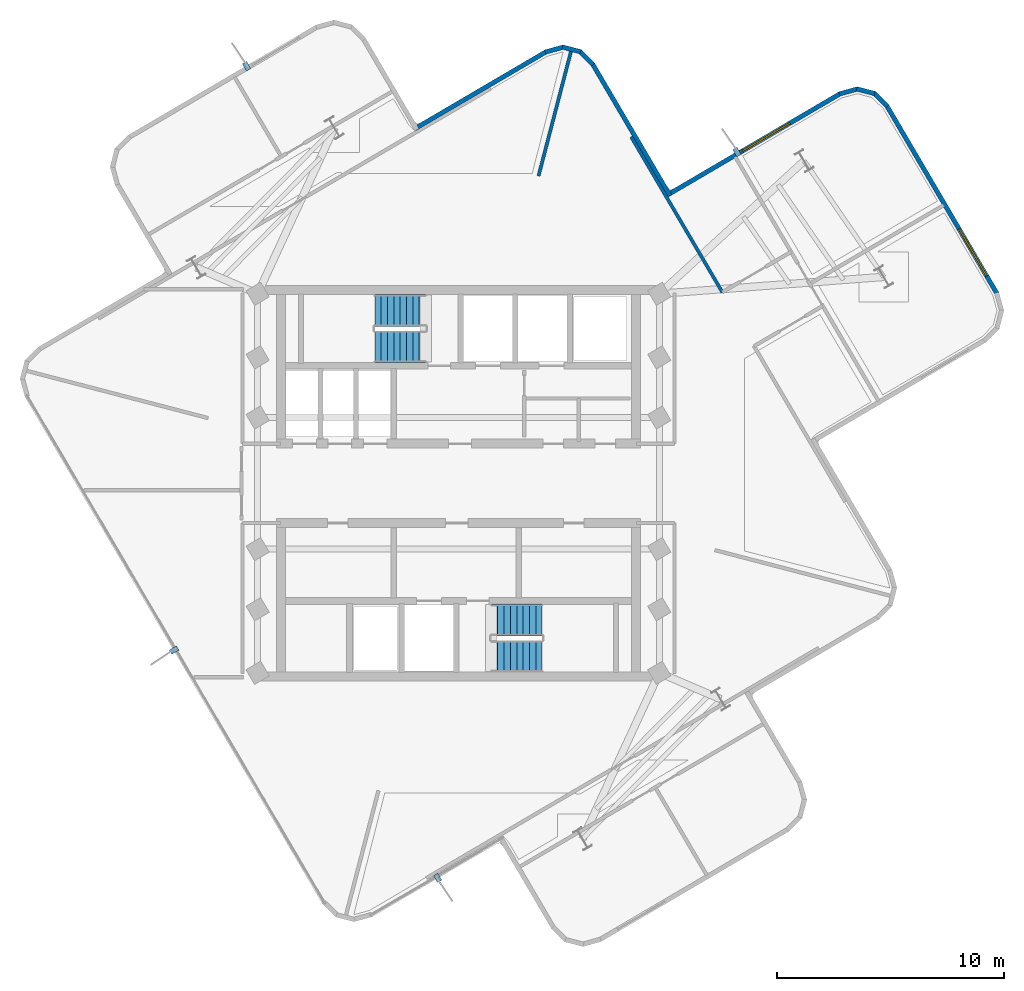
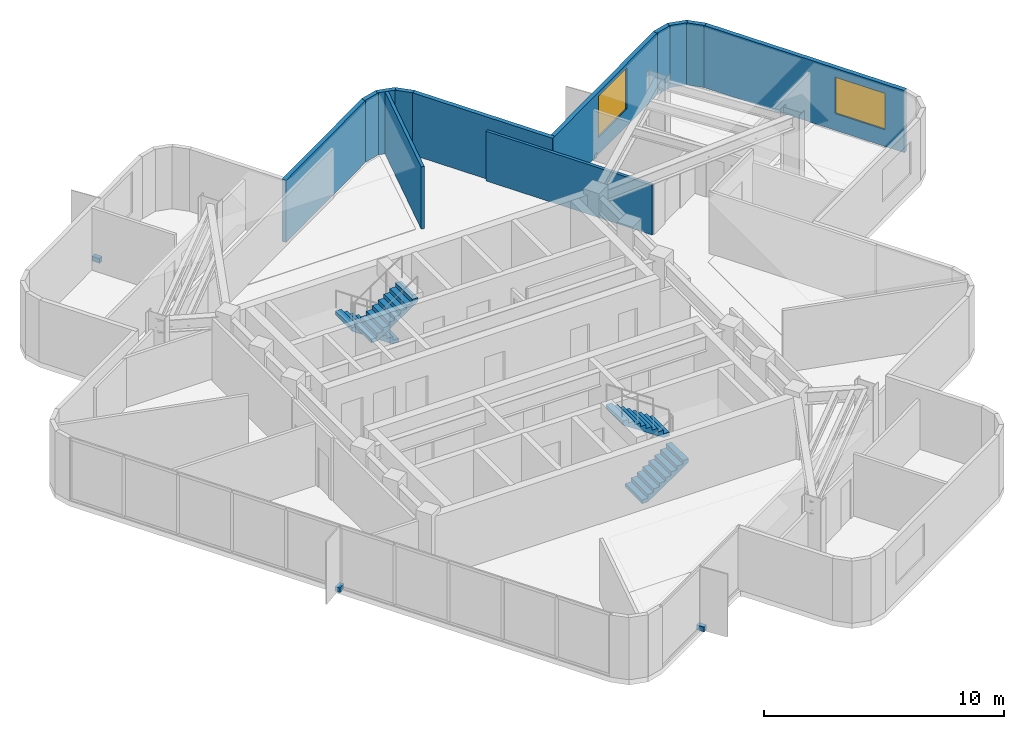
# One storey, part 7 of 9: 12 walls, 4 discrete accessories, 4 stair flights, 2 windows, 2 openings, 2 elements without a shape of their own.
"""IFC4 building model written with IfcOpenShell, lengths in metres."""

from ifc_helpers import new_model, si_unit, direction, frame, frame_2d, origin, origin_2d, place, context, subcontext, project, spatial, polyline, rectangle, outline, extrude, material, layer, layer_set, type_object, element, fill, aggregate, save


model = new_model("IFC4")

# Units and contexts
model_context = context("Model", 3, precision=1e-05, world=origin(), true_north=direction((0.0, 1.0)))
body_context = subcontext(model_context, "Body", "Model", "MODEL_VIEW")
ifc_project = project(units=[si_unit("LENGTHUNIT", "METRE"), si_unit("AREAUNIT", "SQUARE_METRE"), si_unit("VOLUMEUNIT", "CUBIC_METRE"), si_unit("PLANEANGLEUNIT", "RADIAN"), si_unit("MASSUNIT", "GRAM", prefix="KILO")], contexts=[model_context])

# Site, building, storey
site_placement = place(None, origin())
site = spatial("IfcSite", under=ifc_project, at=site_placement, CompositionType="ELEMENT")
building_placement = place(site_placement, origin())
building = spatial("IfcBuilding", under=site, at=building_placement, Name="Solmarez Civic Tower", CompositionType="ELEMENT")
storey_placement = place(building_placement, frame((0.0, 0.0, 208.6201171875)))
storey = spatial("IfcBuildingStorey", under=building, at=storey_placement, Name="L55", CompositionType="ELEMENT", Elevation=208.6201171875)

# Walls
ifc_material_1 = material(Name="Precast concrete C40/50", Category="concrete")
ifc_layer_1 = layer(ifc_material_1, 0.199951171875)
ifc_layer_set_1 = layer_set([ifc_layer_1], Name="Precast concrete C40/50")
wall_type_1 = type_object("IfcWallType", Name="WALL-EXT-200", PredefinedType="SOLIDWALL", material=ifc_layer_set_1)
wall_1_placement = place(storey_placement, frame((-1.947998046875, 15.612060546875, 0.0), z_axis=(0.0, 0.0, 1.0), x_axis=(0.86259717351, 0.505891407569, 0.0)))
element("IfcWall", 1, at=wall_1_placement, inside=storey, type_object=wall_type_1, Name="L55 Exterior Precast Wall 24", PredefinedType="SOLIDWALL", context=body_context, shape_type="SweptSolid", body=[
    extrude(rectangle(XDim=6.742431640625, YDim=0.199951171875, at=frame_2d((3.37109375, 0.0))), origin(), (0.0, 0.0, 1.0), 3.159912109375),
])
wall_2_placement = place(storey_placement, frame((3.822021484375, 19.0029296875, 0.0), z_axis=(0.0, 0.0, 1.0), x_axis=(0.963905015631, 0.266246353668, 0.0)))
element("IfcWall", 2, at=wall_2_placement, inside=storey, type_object=wall_type_1, Name="L55 Exterior Precast Wall 25", PredefinedType="SOLIDWALL", context=body_context, shape_type="SweptSolid", body=[
    extrude(rectangle(XDim=0.838134765625, YDim=0.199951171875, at=frame_2d((0.4189453125, 0.0))), origin(), (0.0, 0.0, 1.0), 3.159912109375),
])
wall_3_placement = place(storey_placement, frame((4.58203125, 19.22509765625, 0.0), z_axis=(0.0, 0.0, 1.0), x_axis=(0.967943577658, -0.251167733737, 0.0)))
element("IfcWall", 3, at=wall_3_placement, inside=storey, type_object=wall_type_1, Name="L55 Exterior Precast Wall 26", PredefinedType="SOLIDWALL", context=body_context, shape_type="SweptSolid", body=[
    extrude(rectangle(XDim=0.82421875, YDim=0.199951171875, at=frame_2d((0.412109375, 0.0))), origin(), (0.0, 0.0, 1.0), 3.159912109375),
])
wall_4_placement = place(storey_placement, frame((5.337890625, 19.0419921875, 0.0), z_axis=(0.0, 0.0, 1.0), x_axis=(0.711310891957, -0.702877524881, 0.0)))
element("IfcWall", 4, at=wall_4_placement, inside=storey, type_object=wall_type_1, Name="L55 Exterior Precast Wall 27", PredefinedType="SOLIDWALL", context=body_context, shape_type="SweptSolid", body=[
    extrude(rectangle(XDim=0.839599609375, YDim=0.199951171875, at=frame_2d((0.419921875, 0.0))), origin(), (0.0, 0.0, 1.0), 3.159912109375),
])
wall_5_placement = place(storey_placement, frame((5.904052734375, 18.491943359375, 0.0), z_axis=(0.0, 0.0, 1.0), x_axis=(0.506017844805, -0.862523008817, 0.0)))
element("IfcWall", 5, at=wall_5_placement, inside=storey, type_object=wall_type_1, Name="L55 Exterior Precast Wall 28", PredefinedType="SOLIDWALL", context=body_context, shape_type="SweptSolid", body=[
    extrude(rectangle(XDim=6.74072265625, YDim=0.199951171875, at=frame_2d((3.370361328125, 0.0))), origin(), (0.0, 0.0, 1.0), 3.159912109375),
])

# Wall, opening, window
wall_6_placement = place(storey_placement, frame((9.2060546875, 12.70703125, 0.0), z_axis=(0.0, 0.0, 1.0), x_axis=(0.862602827395, 0.505881766988, 0.0)))
wall_6 = element("IfcWall", 6, at=wall_6_placement, inside=storey, type_object=wall_type_1, Name="L55 Exterior Precast Wall 31", PredefinedType="SOLIDWALL", context=body_context, shape_type="SweptSolid", body=[
    extrude(rectangle(XDim=8.841796875, YDim=0.199951171875, at=frame_2d((4.4208984375, 0.0))), origin(), (0.0, 0.0, 1.0), 3.159912109375),
])
opening_1_placement = place(wall_6_placement, frame((3.85009765625, 0.0, 0.85009765625)))
opening_1 = element("IfcOpeningElement", 7, at=opening_1_placement, cuts=wall_6, Name="Opening W-02", PredefinedType="OPENING", context=body_context, shape_type="SweptSolid", body=[
    extrude(rectangle(XDim=2.39990234375, YDim=2.10009765625, at=frame_2d((1.199951171875, 1.050048828125))), frame((0.0, 0.10986328125, 0.0), z_axis=(0.0, -1.0, 0.0), x_axis=(1.0, 0.0, 0.0)), (0.0, 0.0, 1.0), 0.219970703125),
])
ifc_material_2 = material(Name="Solar Control Bronze-Tinted Insulating Glass", Category="glass")
window_type_1 = type_object("IfcWindowType", Name="WIN-2400X2100", PartitioningType="SINGLE_PANEL", PredefinedType="WINDOW", material=ifc_material_2)
window_1_placement = place(opening_1_placement, origin())
window_1 = element("IfcWindow", 8, at=window_1_placement, inside=storey, type_object=window_type_1, Name="L55 Exterior Facade Window 31", OverallHeight=2.10009765625, OverallWidth=2.39990234375, PartitioningType="SINGLE_PANEL", PredefinedType="WINDOW", context=body_context, shape_type="SweptSolid", body=[
    extrude(rectangle(XDim=2.39990234375, YDim=2.10009765625, at=frame_2d((1.199951171875, 1.050048828125))), frame((0.0, 0.030029296875, 0.0), z_axis=(0.0, -1.0, 0.0), x_axis=(1.0, 0.0, 0.0)), (0.0, 0.0, 1.0), 0.06005859375),
])
fill(opening_1, window_1)

# Walls
wall_7_placement = place(storey_placement, frame((16.787109375, 17.159912109375, 0.0), z_axis=(0.0, 0.0, 1.0), x_axis=(0.963905015631, 0.266246353668, 0.0)))
element("IfcWall", 9, at=wall_7_placement, inside=storey, type_object=wall_type_1, Name="L55 Exterior Precast Wall 32", PredefinedType="SOLIDWALL", context=body_context, shape_type="SweptSolid", body=[
    extrude(rectangle(XDim=0.838134765625, YDim=0.199951171875, at=frame_2d((0.4189453125, 0.0))), origin(), (0.0, 0.0, 1.0), 3.159912109375),
])
wall_8_placement = place(storey_placement, frame((17.547119140625, 17.382080078125, 0.0), z_axis=(0.0, 0.0, 1.0), x_axis=(0.967943577658, -0.251167733737, 0.0)))
element("IfcWall", 10, at=wall_8_placement, inside=storey, type_object=wall_type_1, Name="L55 Exterior Precast Wall 33", PredefinedType="SOLIDWALL", context=body_context, shape_type="SweptSolid", body=[
    extrude(rectangle(XDim=0.82421875, YDim=0.199951171875, at=frame_2d((0.412109375, 0.0))), origin(), (0.0, 0.0, 1.0), 3.159912109375),
])
wall_9_placement = place(storey_placement, frame((18.302978515625, 17.198974609375, 0.0), z_axis=(0.0, 0.0, 1.0), x_axis=(0.711894657832, -0.702286263677, 0.0)))
element("IfcWall", 11, at=wall_9_placement, inside=storey, type_object=wall_type_1, Name="L55 Exterior Precast Wall 34", PredefinedType="SOLIDWALL", context=body_context, shape_type="SweptSolid", body=[
    extrude(rectangle(XDim=0.83837890625, YDim=0.199951171875, at=frame_2d((0.419189453125, 0.0))), origin(), (0.0, 0.0, 1.0), 3.159912109375),
])

# Wall, opening, window
wall_10_placement = place(storey_placement, frame((18.868896484375, 16.64990234375, 0.0), z_axis=(0.0, 0.0, 1.0), x_axis=(0.505984418435, -0.862542618252, 0.0)))
wall_10 = element("IfcWall", 12, at=wall_10_placement, inside=storey, type_object=wall_type_1, Name="L55 Exterior Precast Wall 35", PredefinedType="SOLIDWALL", context=body_context, shape_type="SweptSolid", body=[
    extrude(rectangle(XDim=9.625, YDim=0.199951171875, at=frame_2d((4.8125, 0.0))), origin(), (0.0, 0.0, 1.0), 3.159912109375),
])
opening_2_placement = place(wall_10_placement, frame((6.306884765625, 0.0, 0.85009765625)))
opening_2 = element("IfcOpeningElement", 13, at=opening_2_placement, cuts=wall_10, Name="Opening W-06", PredefinedType="OPENING", context=body_context, shape_type="SweptSolid", body=[
    extrude(rectangle(XDim=2.39990234375, YDim=1.85009765625, at=frame_2d((1.199951171875, 0.925048828125))), frame((0.0, 0.10986328125, 0.0), z_axis=(0.0, -1.0, 0.0), x_axis=(1.0, 0.0, 0.0)), (0.0, 0.0, 1.0), 0.219970703125),
])
window_type_2 = type_object("IfcWindowType", Name="WIN-2400X1850", PartitioningType="SINGLE_PANEL", PredefinedType="WINDOW", material=ifc_material_2)
window_2_placement = place(opening_2_placement, origin())
window_2 = element("IfcWindow", 14, at=window_2_placement, inside=storey, type_object=window_type_2, Name="L55 Exterior Facade Window 35", OverallHeight=1.85009765625, OverallWidth=2.39990234375, PartitioningType="SINGLE_PANEL", PredefinedType="WINDOW", context=body_context, shape_type="SweptSolid", body=[
    extrude(rectangle(XDim=2.39990234375, YDim=1.85009765625, at=frame_2d((1.199951171875, 0.925048828125))), frame((0.0, 0.030029296875, 0.0), z_axis=(0.0, -1.0, 0.0), x_axis=(1.0, 0.0, 0.0)), (0.0, 0.0, 1.0), 0.06005859375),
])
fill(opening_2, window_2)

# Walls
ifc_material_3 = material(Name="Gypsum Board Acoustic Steel-Stud Partition", Category="steel")
ifc_layer_2 = layer(ifc_material_3, 0.14501953125)
ifc_layer_set_2 = layer_set([ifc_layer_2], Name="Gypsum Board Acoustic Steel-Stud Partition")
wall_type_2 = type_object("IfcWallType", Name="WALL-INT-PART-150", PredefinedType="PARTITIONING", material=ifc_layer_set_2)
wall_11_placement = place(storey_placement, frame((3.527099609375, 13.5400390625, 0.0), z_axis=(0.0, 0.0, 1.0), x_axis=(0.252132617321, 0.967692690519, 0.0)))
element("IfcWall", 15, at=wall_11_placement, inside=storey, type_object=wall_type_2, Name="L55 Interior Partition PT-L55-QDIV-1", PredefinedType="PARTITIONING", context=body_context, shape_type="SweptSolid", body=[
    extrude(rectangle(XDim=5.703369140625, YDim=0.14501953125, at=frame_2d((2.8515625, 0.0))), origin(), (0.0, 0.0, 1.0), 3.159912109375),
])
wall_12_placement = place(storey_placement, frame((11.632080078125, 8.4130859375, 0.0), z_axis=(0.0, 0.0, 1.0), x_axis=(-0.506057561451, 0.862499706955, 0.0)))
element("IfcWall", 16, at=wall_12_placement, inside=storey, type_object=wall_type_2, Name="L55 Interior Partition PT-L55-E-EFL", PredefinedType="PARTITIONING", context=body_context, shape_type="SweptSolid", body=[
    extrude(rectangle(XDim=7.949951171875, YDim=0.14501953125, at=frame_2d((3.97509765625, 0.0))), origin(), (0.0, 0.0, 1.0), 2.52978515625),
])

# Stair, stair flights
ifc_material_4 = material(Name="Concrete C50/60", Category="concrete")
stair_type = type_object("IfcStairType", Name="STAIR-DOGLEG-140W-18R-1900", PredefinedType="HALF_TURN_STAIR", material=ifc_material_4)
stair_1_placement = place(storey_placement, origin())
stair_1 = element("IfcStair", 17, at=stair_1_placement, inside=storey, type_object=stair_type, Name="L55 North Core Protected Exit Stair ST-1", PredefinedType="HALF_TURN_STAIR")
stair_flight_type = type_object("IfcStairFlightType", Name="FLIGHT-DOGLEG-140W-9R-1900", PredefinedType="STRAIGHT", material=ifc_material_4)
stair_flight_1_placement = place(storey_placement, frame((-1.449951171875, 7.6201171875, 0.0), z_axis=(0.0, 0.0, 1.0), x_axis=(-1.0, 0.0, 0.0)))
stair_flight_1 = element("IfcStairFlight", 18, at=stair_flight_1_placement, type_object=stair_flight_type, Name="ST-1 flight 1", NumberOfRisers=9, NumberOfTreads=8, PredefinedType="STRAIGHT", RiserHeight=0.19, TreadLength=0.28, context=body_context, shape_type="SweptSolid", body=[
    extrude(outline(polyline([(0.0, 0.0), (0.0, 0.18994140625), (0.280029296875, 0.18994140625), (0.280029296875, 0.3798828125), (0.56005859375, 0.3798828125), (0.56005859375, 0.570068359375), (0.840087890625, 0.570068359375), (0.840087890625, 0.760009765625), (1.1201171875, 0.760009765625), (1.1201171875, 0.949951171875), (1.39990234375, 0.949951171875), (1.39990234375, 1.139892578125), (1.679931640625, 1.139892578125), (1.679931640625, 1.330078125), (1.9599609375, 1.330078125), (1.9599609375, 1.52001953125), (2.239990234375, 1.52001953125), (2.239990234375, 1.7099609375), (2.239990234375, 1.32666015625), (0.284912109375, 0.0), (0.0, 0.0)])), frame((0.0, 0.699951171875, 0.0), z_axis=(0.0, -1.0, 0.0), x_axis=(1.0, 0.0, 0.0)), (0.0, 0.0, 1.0), 1.39990234375),
])
stair_flight_2_placement = place(storey_placement, frame((-3.68994140625, 6.02001953125, 1.7099609375), z_axis=(0.0, 0.0, 1.0), x_axis=(1.0, 0.0, 0.0)))
stair_flight_2 = element("IfcStairFlight", 19, at=stair_flight_2_placement, type_object=stair_flight_type, Name="ST-1 flight 2", NumberOfRisers=9, NumberOfTreads=8, PredefinedType="STRAIGHT", RiserHeight=0.19, TreadLength=0.28, context=body_context, shape_type="SweptSolid", body=[
    extrude(outline(polyline([(0.0, 0.0), (0.0, 0.18994140625), (0.280029296875, 0.18994140625), (0.280029296875, 0.3798828125), (0.56005859375, 0.3798828125), (0.56005859375, 0.570068359375), (0.840087890625, 0.570068359375), (0.840087890625, 0.760009765625), (1.1201171875, 0.760009765625), (1.1201171875, 0.949951171875), (1.39990234375, 0.949951171875), (1.39990234375, 1.139892578125), (1.679931640625, 1.139892578125), (1.679931640625, 1.330078125), (1.9599609375, 1.330078125), (1.9599609375, 1.52001953125), (2.239990234375, 1.52001953125), (2.239990234375, 1.7099609375), (2.239990234375, 1.32666015625), (0.284912109375, 0.0), (0.0, 0.0)])), frame((0.0, 0.699951171875, 0.0), z_axis=(0.0, -1.0, 0.0), x_axis=(1.0, 0.0, 0.0)), (0.0, 0.0, 1.0), 1.39990234375),
])
aggregate(stair_1, [stair_flight_1, stair_flight_2])

stair_2_placement = place(storey_placement, origin())
stair_2 = element("IfcStair", 20, at=stair_2_placement, inside=storey, type_object=stair_type, Name="L55 South Core Protected Exit Stair ST-2", PredefinedType="HALF_TURN_STAIR")
stair_flight_3_placement = place(storey_placement, frame((1.449951171875, -7.6201171875, 0.0), z_axis=(0.0, 0.0, 1.0), x_axis=(1.0, 0.0, 0.0)))
stair_flight_3 = element("IfcStairFlight", 21, at=stair_flight_3_placement, type_object=stair_flight_type, Name="ST-2 flight 1", NumberOfRisers=9, NumberOfTreads=8, PredefinedType="STRAIGHT", RiserHeight=0.19, TreadLength=0.28, context=body_context, shape_type="SweptSolid", body=[
    extrude(outline(polyline([(0.0, 0.0), (0.0, 0.18994140625), (0.280029296875, 0.18994140625), (0.280029296875, 0.3798828125), (0.56005859375, 0.3798828125), (0.56005859375, 0.570068359375), (0.840087890625, 0.570068359375), (0.840087890625, 0.760009765625), (1.1201171875, 0.760009765625), (1.1201171875, 0.949951171875), (1.39990234375, 0.949951171875), (1.39990234375, 1.139892578125), (1.679931640625, 1.139892578125), (1.679931640625, 1.330078125), (1.9599609375, 1.330078125), (1.9599609375, 1.52001953125), (2.239990234375, 1.52001953125), (2.239990234375, 1.7099609375), (2.239990234375, 1.32666015625), (0.284912109375, 0.0), (0.0, 0.0)])), frame((0.0, 0.699951171875, 0.0), z_axis=(0.0, -1.0, 0.0), x_axis=(1.0, 0.0, 0.0)), (0.0, 0.0, 1.0), 1.39990234375),
])
stair_flight_4_placement = place(storey_placement, frame((3.68994140625, -6.02001953125, 1.7099609375), z_axis=(0.0, 0.0, 1.0), x_axis=(-1.0, 0.0, 0.0)))
stair_flight_4 = element("IfcStairFlight", 22, at=stair_flight_4_placement, type_object=stair_flight_type, Name="ST-2 flight 2", NumberOfRisers=9, NumberOfTreads=8, PredefinedType="STRAIGHT", RiserHeight=0.19, TreadLength=0.28, context=body_context, shape_type="SweptSolid", body=[
    extrude(outline(polyline([(0.0, 0.0), (0.0, 0.18994140625), (0.280029296875, 0.18994140625), (0.280029296875, 0.3798828125), (0.56005859375, 0.3798828125), (0.56005859375, 0.570068359375), (0.840087890625, 0.570068359375), (0.840087890625, 0.760009765625), (1.1201171875, 0.760009765625), (1.1201171875, 0.949951171875), (1.39990234375, 0.949951171875), (1.39990234375, 1.139892578125), (1.679931640625, 1.139892578125), (1.679931640625, 1.330078125), (1.9599609375, 1.330078125), (1.9599609375, 1.52001953125), (2.239990234375, 1.52001953125), (2.239990234375, 1.7099609375), (2.239990234375, 1.32666015625), (0.284912109375, 0.0), (0.0, 0.0)])), frame((0.0, 0.699951171875, 0.0), z_axis=(0.0, -1.0, 0.0), x_axis=(1.0, 0.0, 0.0)), (0.0, 0.0, 1.0), 1.39990234375),
])
aggregate(stair_2, [stair_flight_3, stair_flight_4])

# Discrete accessories
ifc_material_5 = material(Name="Stainless Steel Grade 1.4401", Category="steel")
discrete_accessory_type = type_object("IfcDiscreteAccessoryType", Name="BRACKET-SS-FIN", PredefinedType="BRACKET", material=ifc_material_5)
for number, where, z_axis, x_axis, name in (
    (23, (-0.919921875, -17.386962890625, -0.06005859375), (0.0, 0.0, 1.0), (0.505939883746, -0.862568741629, 0.0), "L55 Stainless Fin Support Bracket FIN-L55-01"),
    (24, (-12.532958984375, -7.35205078125, -0.06005859375), (0.0, 0.0, 1.0), (-0.862508936292, -0.506041831093, 0.0), "L55 Stainless Fin Support Bracket FIN-L55-02"),
    (25, (-9.340087890625, 18.3798828125, -0.06005859375), (0.0, 0.0, 1.0), (-0.506084029911, 0.862484176475, 0.0), "L55 Stainless Fin Support Bracket FIN-L55-03"),
    (26, (12.27099609375, 14.596923828125, -0.06005859375), (0.0, 0.0, 1.0), (-0.50591923643, 0.862580851985, 0.0), "L55 Stainless Fin Support Bracket FIN-L55-04"),
):
    element("IfcDiscreteAccessory", number, at=place(storey_placement, frame(where, z_axis=z_axis, x_axis=x_axis)), inside=storey, type_object=discrete_accessory_type, Name=name, PredefinedType="BRACKET", context=body_context, shape_type="SweptSolid", body=[
        extrude(rectangle(XDim=0.360107421875, YDim=0.219970703125, at=origin_2d()), origin(), (0.0, 0.0, 1.0), 0.239990234375),
    ])

save(model, "model.ifc")
